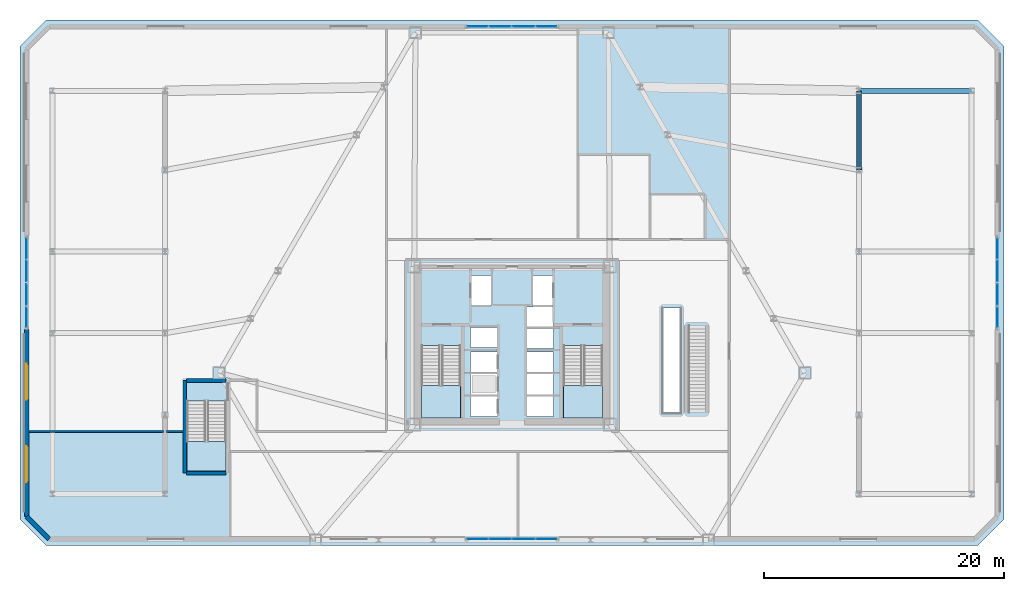
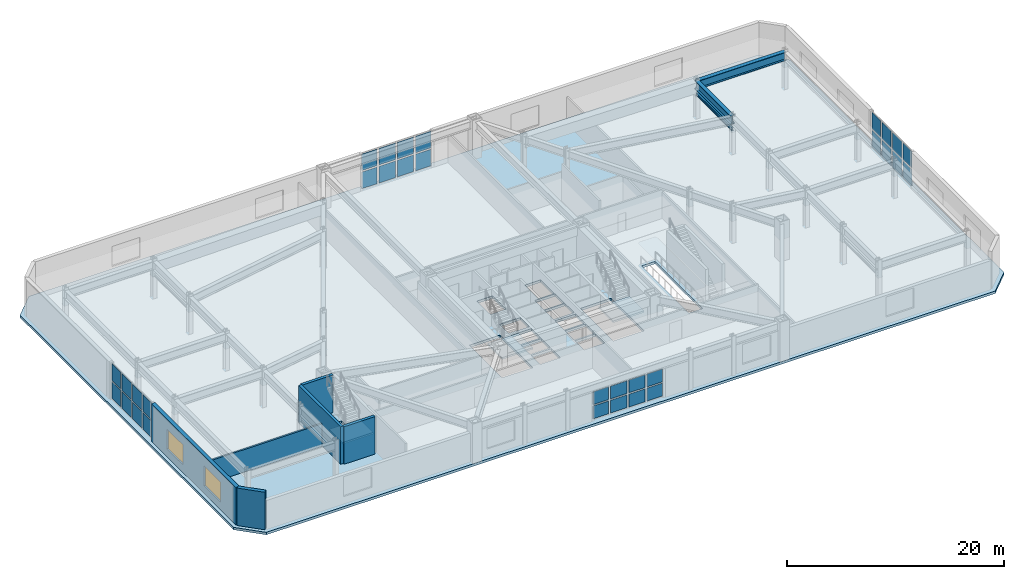
# One storey, part 13 of 21: 32 plates, 6 walls, 4 slabs, 3 beams, 2 windows, 2 openings, 7 elements without a shape of their own.
"""IFC4 building model written with IfcOpenShell, lengths in metres."""

from ifc_helpers import new_model, si_unit, direction, frame, frame_2d, origin, origin_2d, place, context, subcontext, project, spatial, polyline, rectangle, i_section, outline, extrude, material, layer, layer_set, material_profile, profile_set, type_object, element, fill, aggregate, save


model = new_model("IFC4")

# Units and contexts
model_context = context("Model", 3, precision=1e-05, world=origin(), true_north=direction((0.0, 1.0)))
body_context = subcontext(model_context, "Body", "Model", "MODEL_VIEW")
ifc_project = project(units=[si_unit("LENGTHUNIT", "METRE"), si_unit("AREAUNIT", "SQUARE_METRE"), si_unit("VOLUMEUNIT", "CUBIC_METRE"), si_unit("PLANEANGLEUNIT", "RADIAN"), si_unit("MASSUNIT", "GRAM", prefix="KILO")], contexts=[model_context])

# Site, building, storey
site_placement = place(None, origin())
site = spatial("IfcSite", under=ifc_project, at=site_placement, CompositionType="ELEMENT")
building_placement = place(site_placement, origin())
building = spatial("IfcBuilding", under=site, at=building_placement, Name="Oramaril Tower", CompositionType="ELEMENT")
storey_placement = place(building_placement, frame((0.0, 0.0, 5.39990234375)))
storey = spatial("IfcBuildingStorey", under=building, at=storey_placement, Name="L01", CompositionType="ELEMENT", Elevation=5.39990234375)

# Beams
ifc_material_1 = material(Name="Steel ASTM A572 Gr 50", Category="steel")
ifc_material_profile_1 = material_profile(ifc_material_1, i_section(OverallWidth=0.1650390625, OverallDepth=0.31005859375, WebThickness=0.005859375, FlangeThickness=0.009765625, at=origin_2d()), Name="W12X26")
ifc_profile_set_1 = profile_set([ifc_material_profile_1], Name="Steel ASTM A572 Gr 50")
beam_type_1 = type_object("IfcBeamType", Name="BT-LN1", PredefinedType="LINTEL", material=ifc_profile_set_1)
beam_1_placement = place(storey_placement, frame((66.39990234375, 32.199951171875, 2.695068359375), z_axis=(0.0, 1.0, 0.0), x_axis=(-1.0, 0.0, 0.0)))
element("IfcBeam", 1, at=beam_1_placement, inside=storey, type_object=beam_type_1, Name="L01 Podium Opening Lintel Beam", PredefinedType="LINTEL", context=body_context, shape_type="SweptSolid", body=[
    extrude(i_section(OverallWidth=0.1650390625, OverallDepth=0.31005859375, WebThickness=0.005859375, FlangeThickness=0.009765625, at=origin_2d()), origin(), (0.0, 0.0, 1.0), 6.60009765625),
])
ifc_material_2 = material(Name="Steel ASTM A572 Gr 50", Category="steel")
ifc_material_profile_2 = material_profile(ifc_material_2, i_section(OverallWidth=0.424072265625, OverallDepth=0.947021484375, WebThickness=0.02392578125, FlangeThickness=0.042724609375, at=origin_2d()), Name="W36X302")
ifc_profile_set_2 = profile_set([ifc_material_profile_2], Name="Steel ASTM A572 Gr 50")
beam_type_2 = type_object("IfcBeamType", Name="BT-PG1", PredefinedType="BEAM", material=ifc_profile_set_2)
beam_2_placement = place(storey_placement, frame((66.39990234375, 38.800048828125, 3.74658203125), z_axis=(1.0, 0.0, 0.0), x_axis=(0.0, 1.0, 0.0)))
element("IfcBeam", 2, at=beam_2_placement, inside=storey, type_object=beam_type_2, Name="L01 Wing Transverse Girder 08", PredefinedType="BEAM", context=body_context, shape_type="SweptSolid", body=[
    extrude(i_section(OverallWidth=0.424072265625, OverallDepth=0.947021484375, WebThickness=0.02392578125, FlangeThickness=0.042724609375, at=origin_2d()), origin(), (0.0, 0.0, 1.0), 9.400146484375),
])
ifc_material_3 = material(Name="Steel ASTM A572 Gr 50", Category="steel")
ifc_material_profile_3 = material_profile(ifc_material_3, i_section(OverallWidth=0.4189453125, OverallDepth=0.927001953125, WebThickness=0.019287109375, FlangeThickness=0.031982421875, at=origin_2d()), Name="W36X231")
ifc_profile_set_3 = profile_set([ifc_material_profile_3], Name="Steel ASTM A572 Gr 50")
beam_type_3 = type_object("IfcBeamType", Name="BT-PG2", PredefinedType="BEAM", material=ifc_profile_set_3)
beam_3_placement = place(storey_placement, frame((66.39990234375, 32.199951171875, 3.756591796875), z_axis=(0.0, 1.0, 0.0), x_axis=(-1.0, 0.0, 0.0)))
element("IfcBeam", 3, at=beam_3_placement, inside=storey, type_object=beam_type_3, Name="L01 Podium Perimeter Girder 11", PredefinedType="BEAM", context=body_context, shape_type="SweptSolid", body=[
    extrude(i_section(OverallWidth=0.4189453125, OverallDepth=0.927001953125, WebThickness=0.019287109375, FlangeThickness=0.031982421875, at=origin_2d()), origin(), (0.0, 0.0, 1.0), 6.60009765625),
])

# Curtain wall, plates
ifc_material_4 = material(Name="Anodised Aluminium 6063-T6", Category="aluminium")
ifc_layer_1 = layer(ifc_material_4, 0.219970703125)
ifc_layer_set_1 = layer_set([ifc_layer_1], Name="CWT-SYS1")
curtain_wall_type = type_object("IfcCurtainWallType", Name="CWT-SYS1", PredefinedType="NOTDEFINED", material=ifc_layer_set_1)
curtain_wall_1_placement = place(storey_placement, origin())
curtain_wall_1 = element("IfcCurtainWall", 4, at=curtain_wall_1_placement, inside=storey, type_object=curtain_wall_type, Name="L01 Unitised Curtain Wall CW-1", PredefinedType="NOTDEFINED")
ifc_material_5 = material(Name="Coastal Low-E Insulated Glass", Category="glass")
ifc_layer_2 = layer(ifc_material_5, 0.031982421875)
ifc_layer_set_2 = layer_set([ifc_layer_2], Name="PLT-CWP2")
plate_type = type_object("IfcPlateType", Name="PLT-CWP2", PredefinedType="CURTAIN_PANEL", material=ifc_layer_set_2)
plate_1_placement = place(storey_placement, frame((34.6298828125, 1.449951171875, 0.16015625), z_axis=(0.0, 0.0, 1.0), x_axis=(1.0, 0.0, 0.0)))
plate_1 = element("IfcPlate", 5, at=plate_1_placement, type_object=plate_type, Name="CW-1 panel 1.1", PredefinedType="CURTAIN_PANEL", context=body_context, shape_type="SweptSolid", body=[
    extrude(rectangle(XDim=1.6201171875, YDim=0.031982421875, at=origin_2d()), origin(), (0.0, 0.0, 1.0), 1.43701171875),
])
plate_2_placement = place(storey_placement, frame((34.6298828125, 1.449951171875, 1.757080078125), z_axis=(0.0, 0.0, 1.0), x_axis=(1.0, 0.0, 0.0)))
plate_2 = element("IfcPlate", 6, at=plate_2_placement, type_object=plate_type, Name="CW-1 panel 1.2", PredefinedType="CURTAIN_PANEL", context=body_context, shape_type="SweptSolid", body=[
    extrude(rectangle(XDim=1.6201171875, YDim=0.031982421875, at=origin_2d()), origin(), (0.0, 0.0, 1.0), 1.43701171875),
])
plate_3_placement = place(storey_placement, frame((36.52490234375, 1.449951171875, 0.16015625), z_axis=(0.0, 0.0, 1.0), x_axis=(1.0, 0.0, 0.0)))
plate_3 = element("IfcPlate", 7, at=plate_3_placement, type_object=plate_type, Name="CW-1 panel 2.1", PredefinedType="CURTAIN_PANEL", context=body_context, shape_type="SweptSolid", body=[
    extrude(rectangle(XDim=1.72998046875, YDim=0.031982421875, at=origin_2d()), origin(), (0.0, 0.0, 1.0), 1.43701171875),
])
plate_4_placement = place(storey_placement, frame((36.52490234375, 1.449951171875, 1.757080078125), z_axis=(0.0, 0.0, 1.0), x_axis=(1.0, 0.0, 0.0)))
plate_4 = element("IfcPlate", 8, at=plate_4_placement, type_object=plate_type, Name="CW-1 panel 2.2", PredefinedType="CURTAIN_PANEL", context=body_context, shape_type="SweptSolid", body=[
    extrude(rectangle(XDim=1.72998046875, YDim=0.031982421875, at=origin_2d()), origin(), (0.0, 0.0, 1.0), 1.43701171875),
])
plate_5_placement = place(storey_placement, frame((38.47509765625, 1.449951171875, 0.16015625), z_axis=(0.0, 0.0, 1.0), x_axis=(1.0, 0.0, 0.0)))
plate_5 = element("IfcPlate", 9, at=plate_5_placement, type_object=plate_type, Name="CW-1 panel 3.1", PredefinedType="CURTAIN_PANEL", context=body_context, shape_type="SweptSolid", body=[
    extrude(rectangle(XDim=1.72998046875, YDim=0.031982421875, at=origin_2d()), origin(), (0.0, 0.0, 1.0), 1.43701171875),
])
plate_6_placement = place(storey_placement, frame((38.47509765625, 1.449951171875, 1.757080078125), z_axis=(0.0, 0.0, 1.0), x_axis=(1.0, 0.0, 0.0)))
plate_6 = element("IfcPlate", 10, at=plate_6_placement, type_object=plate_type, Name="CW-1 panel 3.2", PredefinedType="CURTAIN_PANEL", context=body_context, shape_type="SweptSolid", body=[
    extrude(rectangle(XDim=1.72998046875, YDim=0.031982421875, at=origin_2d()), origin(), (0.0, 0.0, 1.0), 1.43701171875),
])
plate_7_placement = place(storey_placement, frame((40.3701171875, 1.449951171875, 0.16015625), z_axis=(0.0, 0.0, 1.0), x_axis=(1.0, 0.0, 0.0)))
plate_7 = element("IfcPlate", 11, at=plate_7_placement, type_object=plate_type, Name="CW-1 panel 4.1", PredefinedType="CURTAIN_PANEL", context=body_context, shape_type="SweptSolid", body=[
    extrude(rectangle(XDim=1.6201171875, YDim=0.031982421875, at=origin_2d()), origin(), (0.0, 0.0, 1.0), 1.43701171875),
])
plate_8_placement = place(storey_placement, frame((40.3701171875, 1.449951171875, 1.757080078125), z_axis=(0.0, 0.0, 1.0), x_axis=(1.0, 0.0, 0.0)))
plate_8 = element("IfcPlate", 12, at=plate_8_placement, type_object=plate_type, Name="CW-1 panel 4.2", PredefinedType="CURTAIN_PANEL", context=body_context, shape_type="SweptSolid", body=[
    extrude(rectangle(XDim=1.6201171875, YDim=0.031982421875, at=origin_2d()), origin(), (0.0, 0.0, 1.0), 1.43701171875),
])
aggregate(curtain_wall_1, [plate_1, plate_2, plate_3, plate_4, plate_5, plate_6, plate_7, plate_8])

curtain_wall_2_placement = place(storey_placement, origin())
curtain_wall_2 = element("IfcCurtainWall", 13, at=curtain_wall_2_placement, inside=storey, type_object=curtain_wall_type, Name="L01 Unitised Curtain Wall CW-1", PredefinedType="NOTDEFINED")
plate_9_placement = place(storey_placement, frame((77.949951171875, 19.929931640625, 0.16015625), z_axis=(0.0, 0.0, 1.0), x_axis=(0.0, 1.0, 0.0)))
plate_9 = element("IfcPlate", 14, at=plate_9_placement, type_object=plate_type, Name="CW-1 panel 1.1", PredefinedType="CURTAIN_PANEL", context=body_context, shape_type="SweptSolid", body=[
    extrude(rectangle(XDim=1.6201171875, YDim=0.031982421875, at=origin_2d()), origin(), (0.0, 0.0, 1.0), 1.8701171875),
])
plate_10_placement = place(storey_placement, frame((77.949951171875, 19.929931640625, 2.18994140625), z_axis=(0.0, 0.0, 1.0), x_axis=(0.0, 1.0, 0.0)))
plate_10 = element("IfcPlate", 15, at=plate_10_placement, type_object=plate_type, Name="CW-1 panel 1.2", PredefinedType="CURTAIN_PANEL", context=body_context, shape_type="SweptSolid", body=[
    extrude(rectangle(XDim=1.6201171875, YDim=0.031982421875, at=origin_2d()), origin(), (0.0, 0.0, 1.0), 1.8701171875),
])
plate_11_placement = place(storey_placement, frame((77.949951171875, 21.824951171875, 0.16015625), z_axis=(0.0, 0.0, 1.0), x_axis=(0.0, 1.0, 0.0)))
plate_11 = element("IfcPlate", 16, at=plate_11_placement, type_object=plate_type, Name="CW-1 panel 2.1", PredefinedType="CURTAIN_PANEL", context=body_context, shape_type="SweptSolid", body=[
    extrude(rectangle(XDim=1.72998046875, YDim=0.031982421875, at=origin_2d()), origin(), (0.0, 0.0, 1.0), 1.8701171875),
])
plate_12_placement = place(storey_placement, frame((77.949951171875, 21.824951171875, 2.18994140625), z_axis=(0.0, 0.0, 1.0), x_axis=(0.0, 1.0, 0.0)))
plate_12 = element("IfcPlate", 17, at=plate_12_placement, type_object=plate_type, Name="CW-1 panel 2.2", PredefinedType="CURTAIN_PANEL", context=body_context, shape_type="SweptSolid", body=[
    extrude(rectangle(XDim=1.72998046875, YDim=0.031982421875, at=origin_2d()), origin(), (0.0, 0.0, 1.0), 1.8701171875),
])
plate_13_placement = place(storey_placement, frame((77.949951171875, 23.77490234375, 0.16015625), z_axis=(0.0, 0.0, 1.0), x_axis=(0.0, 1.0, 0.0)))
plate_13 = element("IfcPlate", 18, at=plate_13_placement, type_object=plate_type, Name="CW-1 panel 3.1", PredefinedType="CURTAIN_PANEL", context=body_context, shape_type="SweptSolid", body=[
    extrude(rectangle(XDim=1.72998046875, YDim=0.031982421875, at=origin_2d()), origin(), (0.0, 0.0, 1.0), 1.8701171875),
])
plate_14_placement = place(storey_placement, frame((77.949951171875, 23.77490234375, 2.18994140625), z_axis=(0.0, 0.0, 1.0), x_axis=(0.0, 1.0, 0.0)))
plate_14 = element("IfcPlate", 19, at=plate_14_placement, type_object=plate_type, Name="CW-1 panel 3.2", PredefinedType="CURTAIN_PANEL", context=body_context, shape_type="SweptSolid", body=[
    extrude(rectangle(XDim=1.72998046875, YDim=0.031982421875, at=origin_2d()), origin(), (0.0, 0.0, 1.0), 1.8701171875),
])
plate_15_placement = place(storey_placement, frame((77.949951171875, 25.669921875, 0.16015625), z_axis=(0.0, 0.0, 1.0), x_axis=(0.0, 1.0, 0.0)))
plate_15 = element("IfcPlate", 20, at=plate_15_placement, type_object=plate_type, Name="CW-1 panel 4.1", PredefinedType="CURTAIN_PANEL", context=body_context, shape_type="SweptSolid", body=[
    extrude(rectangle(XDim=1.6201171875, YDim=0.031982421875, at=origin_2d()), origin(), (0.0, 0.0, 1.0), 1.8701171875),
])
plate_16_placement = place(storey_placement, frame((77.949951171875, 25.669921875, 2.18994140625), z_axis=(0.0, 0.0, 1.0), x_axis=(0.0, 1.0, 0.0)))
plate_16 = element("IfcPlate", 21, at=plate_16_placement, type_object=plate_type, Name="CW-1 panel 4.2", PredefinedType="CURTAIN_PANEL", context=body_context, shape_type="SweptSolid", body=[
    extrude(rectangle(XDim=1.6201171875, YDim=0.031982421875, at=origin_2d()), origin(), (0.0, 0.0, 1.0), 1.8701171875),
])
aggregate(curtain_wall_2, [plate_9, plate_10, plate_11, plate_12, plate_13, plate_14, plate_15, plate_16])

curtain_wall_3_placement = place(storey_placement, origin())
curtain_wall_3 = element("IfcCurtainWall", 22, at=curtain_wall_3_placement, inside=storey, type_object=curtain_wall_type, Name="L01 Unitised Curtain Wall CW-1", PredefinedType="NOTDEFINED")
plate_17_placement = place(storey_placement, frame((40.3701171875, 44.14990234375, 0.16015625), z_axis=(0.0, 0.0, 1.0), x_axis=(-1.0, 0.0, 0.0)))
plate_17 = element("IfcPlate", 23, at=plate_17_placement, type_object=plate_type, Name="CW-1 panel 1.1", PredefinedType="CURTAIN_PANEL", context=body_context, shape_type="SweptSolid", body=[
    extrude(rectangle(XDim=1.6201171875, YDim=0.031982421875, at=origin_2d()), origin(), (0.0, 0.0, 1.0), 1.8701171875),
])
plate_18_placement = place(storey_placement, frame((40.3701171875, 44.14990234375, 2.18994140625), z_axis=(0.0, 0.0, 1.0), x_axis=(-1.0, 0.0, 0.0)))
plate_18 = element("IfcPlate", 24, at=plate_18_placement, type_object=plate_type, Name="CW-1 panel 1.2", PredefinedType="CURTAIN_PANEL", context=body_context, shape_type="SweptSolid", body=[
    extrude(rectangle(XDim=1.6201171875, YDim=0.031982421875, at=origin_2d()), origin(), (0.0, 0.0, 1.0), 1.8701171875),
])
plate_19_placement = place(storey_placement, frame((38.47509765625, 44.14990234375, 0.16015625), z_axis=(0.0, 0.0, 1.0), x_axis=(-1.0, 0.0, 0.0)))
plate_19 = element("IfcPlate", 25, at=plate_19_placement, type_object=plate_type, Name="CW-1 panel 2.1", PredefinedType="CURTAIN_PANEL", context=body_context, shape_type="SweptSolid", body=[
    extrude(rectangle(XDim=1.72998046875, YDim=0.031982421875, at=origin_2d()), origin(), (0.0, 0.0, 1.0), 1.8701171875),
])
plate_20_placement = place(storey_placement, frame((38.47509765625, 44.14990234375, 2.18994140625), z_axis=(0.0, 0.0, 1.0), x_axis=(-1.0, 0.0, 0.0)))
plate_20 = element("IfcPlate", 26, at=plate_20_placement, type_object=plate_type, Name="CW-1 panel 2.2", PredefinedType="CURTAIN_PANEL", context=body_context, shape_type="SweptSolid", body=[
    extrude(rectangle(XDim=1.72998046875, YDim=0.031982421875, at=origin_2d()), origin(), (0.0, 0.0, 1.0), 1.8701171875),
])
plate_21_placement = place(storey_placement, frame((36.52490234375, 44.14990234375, 0.16015625), z_axis=(0.0, 0.0, 1.0), x_axis=(-1.0, 0.0, 0.0)))
plate_21 = element("IfcPlate", 27, at=plate_21_placement, type_object=plate_type, Name="CW-1 panel 3.1", PredefinedType="CURTAIN_PANEL", context=body_context, shape_type="SweptSolid", body=[
    extrude(rectangle(XDim=1.72998046875, YDim=0.031982421875, at=origin_2d()), origin(), (0.0, 0.0, 1.0), 1.8701171875),
])
plate_22_placement = place(storey_placement, frame((36.52490234375, 44.14990234375, 2.18994140625), z_axis=(0.0, 0.0, 1.0), x_axis=(-1.0, 0.0, 0.0)))
plate_22 = element("IfcPlate", 28, at=plate_22_placement, type_object=plate_type, Name="CW-1 panel 3.2", PredefinedType="CURTAIN_PANEL", context=body_context, shape_type="SweptSolid", body=[
    extrude(rectangle(XDim=1.72998046875, YDim=0.031982421875, at=origin_2d()), origin(), (0.0, 0.0, 1.0), 1.8701171875),
])
plate_23_placement = place(storey_placement, frame((34.6298828125, 44.14990234375, 0.16015625), z_axis=(0.0, 0.0, 1.0), x_axis=(-1.0, 0.0, 0.0)))
plate_23 = element("IfcPlate", 29, at=plate_23_placement, type_object=plate_type, Name="CW-1 panel 4.1", PredefinedType="CURTAIN_PANEL", context=body_context, shape_type="SweptSolid", body=[
    extrude(rectangle(XDim=1.6201171875, YDim=0.031982421875, at=origin_2d()), origin(), (0.0, 0.0, 1.0), 1.8701171875),
])
plate_24_placement = place(storey_placement, frame((34.6298828125, 44.14990234375, 2.18994140625), z_axis=(0.0, 0.0, 1.0), x_axis=(-1.0, 0.0, 0.0)))
plate_24 = element("IfcPlate", 30, at=plate_24_placement, type_object=plate_type, Name="CW-1 panel 4.2", PredefinedType="CURTAIN_PANEL", context=body_context, shape_type="SweptSolid", body=[
    extrude(rectangle(XDim=1.6201171875, YDim=0.031982421875, at=origin_2d()), origin(), (0.0, 0.0, 1.0), 1.8701171875),
])
aggregate(curtain_wall_3, [plate_17, plate_18, plate_19, plate_20, plate_21, plate_22, plate_23, plate_24])

curtain_wall_4_placement = place(storey_placement, origin())
curtain_wall_4 = element("IfcCurtainWall", 31, at=curtain_wall_4_placement, inside=storey, type_object=curtain_wall_type, Name="L01 Unitised Curtain Wall CW-1", PredefinedType="NOTDEFINED")
plate_25_placement = place(storey_placement, frame((-2.949951171875, 25.669921875, 0.16015625), z_axis=(0.0, 0.0, 1.0), x_axis=(0.0, -1.0, 0.0)))
plate_25 = element("IfcPlate", 32, at=plate_25_placement, type_object=plate_type, Name="CW-1 panel 1.1", PredefinedType="CURTAIN_PANEL", context=body_context, shape_type="SweptSolid", body=[
    extrude(rectangle(XDim=1.6201171875, YDim=0.031982421875, at=origin_2d()), origin(), (0.0, 0.0, 1.0), 1.8701171875),
])
plate_26_placement = place(storey_placement, frame((-2.949951171875, 25.669921875, 2.18994140625), z_axis=(0.0, 0.0, 1.0), x_axis=(0.0, -1.0, 0.0)))
plate_26 = element("IfcPlate", 33, at=plate_26_placement, type_object=plate_type, Name="CW-1 panel 1.2", PredefinedType="CURTAIN_PANEL", context=body_context, shape_type="SweptSolid", body=[
    extrude(rectangle(XDim=1.6201171875, YDim=0.031982421875, at=origin_2d()), origin(), (0.0, 0.0, 1.0), 1.8701171875),
])
plate_27_placement = place(storey_placement, frame((-2.949951171875, 23.77490234375, 0.16015625), z_axis=(0.0, 0.0, 1.0), x_axis=(0.0, -1.0, 0.0)))
plate_27 = element("IfcPlate", 34, at=plate_27_placement, type_object=plate_type, Name="CW-1 panel 2.1", PredefinedType="CURTAIN_PANEL", context=body_context, shape_type="SweptSolid", body=[
    extrude(rectangle(XDim=1.72998046875, YDim=0.031982421875, at=origin_2d()), origin(), (0.0, 0.0, 1.0), 1.8701171875),
])
plate_28_placement = place(storey_placement, frame((-2.949951171875, 23.77490234375, 2.18994140625), z_axis=(0.0, 0.0, 1.0), x_axis=(0.0, -1.0, 0.0)))
plate_28 = element("IfcPlate", 35, at=plate_28_placement, type_object=plate_type, Name="CW-1 panel 2.2", PredefinedType="CURTAIN_PANEL", context=body_context, shape_type="SweptSolid", body=[
    extrude(rectangle(XDim=1.72998046875, YDim=0.031982421875, at=origin_2d()), origin(), (0.0, 0.0, 1.0), 1.8701171875),
])
plate_29_placement = place(storey_placement, frame((-2.949951171875, 21.824951171875, 0.16015625), z_axis=(0.0, 0.0, 1.0), x_axis=(0.0, -1.0, 0.0)))
plate_29 = element("IfcPlate", 36, at=plate_29_placement, type_object=plate_type, Name="CW-1 panel 3.1", PredefinedType="CURTAIN_PANEL", context=body_context, shape_type="SweptSolid", body=[
    extrude(rectangle(XDim=1.72998046875, YDim=0.031982421875, at=origin_2d()), origin(), (0.0, 0.0, 1.0), 1.8701171875),
])
plate_30_placement = place(storey_placement, frame((-2.949951171875, 21.824951171875, 2.18994140625), z_axis=(0.0, 0.0, 1.0), x_axis=(0.0, -1.0, 0.0)))
plate_30 = element("IfcPlate", 37, at=plate_30_placement, type_object=plate_type, Name="CW-1 panel 3.2", PredefinedType="CURTAIN_PANEL", context=body_context, shape_type="SweptSolid", body=[
    extrude(rectangle(XDim=1.72998046875, YDim=0.031982421875, at=origin_2d()), origin(), (0.0, 0.0, 1.0), 1.8701171875),
])
plate_31_placement = place(storey_placement, frame((-2.949951171875, 19.929931640625, 0.16015625), z_axis=(0.0, 0.0, 1.0), x_axis=(0.0, -1.0, 0.0)))
plate_31 = element("IfcPlate", 38, at=plate_31_placement, type_object=plate_type, Name="CW-1 panel 4.1", PredefinedType="CURTAIN_PANEL", context=body_context, shape_type="SweptSolid", body=[
    extrude(rectangle(XDim=1.6201171875, YDim=0.031982421875, at=origin_2d()), origin(), (0.0, 0.0, 1.0), 1.8701171875),
])
plate_32_placement = place(storey_placement, frame((-2.949951171875, 19.929931640625, 2.18994140625), z_axis=(0.0, 0.0, 1.0), x_axis=(0.0, -1.0, 0.0)))
plate_32 = element("IfcPlate", 39, at=plate_32_placement, type_object=plate_type, Name="CW-1 panel 4.2", PredefinedType="CURTAIN_PANEL", context=body_context, shape_type="SweptSolid", body=[
    extrude(rectangle(XDim=1.6201171875, YDim=0.031982421875, at=origin_2d()), origin(), (0.0, 0.0, 1.0), 1.8701171875),
])
aggregate(curtain_wall_4, [plate_25, plate_26, plate_27, plate_28, plate_29, plate_30, plate_31, plate_32])

# Stair, slab
ifc_material_6 = material(Name="Concrete C50/60", Category="concrete")
stair_type = type_object("IfcStairType", Name="STT-DG-4500", PredefinedType="HALF_TURN_STAIR", material=ifc_material_6)
stair_1_placement = place(storey_placement, origin())
stair_1 = element("IfcStair", 40, at=stair_1_placement, inside=storey, type_object=stair_type, Name="L01 Protected PFP Exit Stair ST-1", PredefinedType="HALF_TURN_STAIR")
ifc_material_7 = material(Name="Concrete C50/60", Category="concrete")
ifc_layer_3 = layer(ifc_material_7, 0.199951171875)
ifc_layer_set_3 = layer_set([ifc_layer_3], Name="SLT-LND20")
slab_type_1 = type_object("IfcSlabType", Name="SLT-LND20", PredefinedType="LANDING", material=ifc_layer_set_3)
slab_1_placement = place(storey_placement, frame((0.0, 0.0, 2.050048828125)))
slab_1 = element("IfcSlab", 41, at=slab_1_placement, type_object=slab_type_1, Name="ST-1 landing 1", PredefinedType="LANDING", context=body_context, shape_type="SweptSolid", body=[
    extrude(outline(polyline([(29.949951171875, 14.22998046875), (29.949951171875, 11.550048828125), (33.219970703125, 11.550048828125), (33.219970703125, 14.22998046875), (29.949951171875, 14.22998046875)])), origin(), (0.0, 0.0, 1.0), 0.199951171875),
])
aggregate(stair_1, [slab_1])

stair_2_placement = place(storey_placement, origin())
stair_2 = element("IfcStair", 42, at=stair_2_placement, inside=storey, type_object=stair_type, Name="L01 Protected PFP Exit Stair ST-2", PredefinedType="HALF_TURN_STAIR")
slab_2_placement = place(storey_placement, frame((0.0, 0.0, 2.050048828125)))
slab_2 = element("IfcSlab", 43, at=slab_2_placement, type_object=slab_type_1, Name="ST-2 landing 1", PredefinedType="LANDING", context=body_context, shape_type="SweptSolid", body=[
    extrude(outline(polyline([(41.780029296875, 14.22998046875), (41.780029296875, 11.550048828125), (45.050048828125, 11.550048828125), (45.050048828125, 14.22998046875), (41.780029296875, 14.22998046875)])), origin(), (0.0, 0.0, 1.0), 0.199951171875),
])
aggregate(stair_2, [slab_2])

stair_3_placement = place(storey_placement, origin())
stair_3 = element("IfcStair", 44, at=stair_3_placement, inside=storey, type_object=stair_type, Name="L01 Podium Enclosed Exit Stair ST-3", PredefinedType="HALF_TURN_STAIR")
slab_3_placement = place(storey_placement, frame((0.0, 0.0, 2.050048828125)))
slab_3 = element("IfcSlab", 45, at=slab_3_placement, type_object=slab_type_1, Name="ST-3 landing 1", PredefinedType="LANDING", context=body_context, shape_type="SweptSolid", body=[
    extrude(outline(polyline([(10.39990234375, 9.580078125), (10.39990234375, 7.10009765625), (13.669921875, 7.10009765625), (13.669921875, 9.580078125), (10.39990234375, 9.580078125)])), origin(), (0.0, 0.0, 1.0), 0.199951171875),
])
aggregate(stair_3, [slab_3])

# Slab
ifc_material_8 = material(Name="Concrete C50/60", Category="concrete")
ifc_layer_4 = layer(ifc_material_8, 0.280029296875)
ifc_layer_set_4 = layer_set([ifc_layer_4], Name="SLT-POD28")
slab_type_2 = type_object("IfcSlabType", Name="SLT-POD28", PredefinedType="FLOOR", material=ifc_layer_set_4)
slab_4_placement = place(storey_placement, frame((0.0, 0.0, -0.27978515625)))
element("IfcSlab", 46, at=slab_4_placement, inside=storey, type_object=slab_type_2, Name="L01 Structural Floor Slab", PredefinedType="FLOOR", context=body_context, shape_type="SweptSolid", body=[
    extrude(outline(polyline([(-1.300048828125, 0.89990234375), (76.300048828125, 0.89990234375), (78.5, 3.10009765625), (78.5, 42.5), (76.300048828125, 44.699951171875), (-1.300048828125, 44.699951171875), (-3.5, 42.5), (-3.5, 3.10009765625), (-1.300048828125, 0.89990234375)]), holes=[polyline([(29.949951171875, 17.58935546875), (29.949951171875, 11.550048828125), (33.219970703125, 11.550048828125), (33.219970703125, 17.58935546875), (29.949951171875, 17.58935546875)]), polyline([(41.780029296875, 17.58935546875), (41.780029296875, 11.550048828125), (45.050048828125, 11.550048828125), (45.050048828125, 17.58935546875), (41.780029296875, 17.58935546875)]), polyline([(10.39990234375, 12.939453125), (10.39990234375, 7.10009765625), (13.669921875, 7.10009765625), (13.669921875, 12.939453125), (10.39990234375, 12.939453125)]), polyline([(50.074951171875, 11.949951171875), (51.52490234375, 11.949951171875), (51.52490234375, 20.699462890625), (50.074951171875, 20.699462890625), (50.074951171875, 11.949951171875)]), polyline([(34.110107421875, 20.909912109375), (35.7900390625, 20.909912109375), (35.7900390625, 23.389892578125), (34.110107421875, 23.389892578125), (34.110107421875, 20.909912109375)]), polyline([(39.2099609375, 20.909912109375), (40.889892578125, 20.909912109375), (40.889892578125, 23.389892578125), (39.2099609375, 23.389892578125), (39.2099609375, 20.909912109375)]), polyline([(34.06005859375, 11.659912109375), (36.239990234375, 11.659912109375), (36.239990234375, 13.340087890625), (34.06005859375, 13.340087890625), (34.06005859375, 11.659912109375)]), polyline([(34.06005859375, 13.510009765625), (36.239990234375, 13.510009765625), (36.239990234375, 15.18994140625), (34.06005859375, 15.18994140625), (34.06005859375, 13.510009765625)]), polyline([(34.06005859375, 15.360107421875), (36.239990234375, 15.360107421875), (36.239990234375, 17.0400390625), (34.06005859375, 17.0400390625), (34.06005859375, 15.360107421875)]), polyline([(38.760009765625, 11.659912109375), (40.93994140625, 11.659912109375), (40.93994140625, 13.340087890625), (38.760009765625, 13.340087890625), (38.760009765625, 11.659912109375)]), polyline([(38.760009765625, 13.510009765625), (40.93994140625, 13.510009765625), (40.93994140625, 15.18994140625), (38.760009765625, 15.18994140625), (38.760009765625, 13.510009765625)]), polyline([(38.760009765625, 15.360107421875), (40.93994140625, 15.360107421875), (40.93994140625, 17.0400390625), (38.760009765625, 17.0400390625), (38.760009765625, 15.360107421875)]), polyline([(34.06005859375, 17.409912109375), (36.239990234375, 17.409912109375), (36.239990234375, 19.090087890625), (34.06005859375, 19.090087890625), (34.06005859375, 17.409912109375)]), polyline([(38.760009765625, 17.31005859375), (40.93994140625, 17.31005859375), (40.93994140625, 18.989990234375), (38.760009765625, 18.989990234375), (38.760009765625, 17.31005859375)]), polyline([(38.760009765625, 19.110107421875), (40.93994140625, 19.110107421875), (40.93994140625, 20.7900390625), (38.760009765625, 20.7900390625), (38.760009765625, 19.110107421875)])]), origin(), (0.0, 0.0, 1.0), 0.27978515625),
])

# Wall, openings, windows
ifc_material_9 = material(Name="Warm Cream Limestone", Category="masonry")
ifc_layer_5 = layer(ifc_material_9, 0.3798828125)
ifc_layer_set_5 = layer_set([ifc_layer_5], Name="WT-EXT38")
wall_type_1 = type_object("IfcWallType", Name="WT-EXT38", PredefinedType="SOLIDWALL", material=ifc_layer_set_5)
wall_1_placement = place(storey_placement, frame((-2.949951171875, 18.89990234375, 0.0), z_axis=(0.0, 0.0, 1.0), x_axis=(0.0, -1.0, 0.0)))
wall_1 = element("IfcWall", 47, at=wall_1_placement, inside=storey, type_object=wall_type_1, Name="L01 Limestone Facade Wall EW-7B", PredefinedType="SOLIDWALL", context=body_context, shape_type="SweptSolid", body=[
    extrude(rectangle(XDim=15.572021484375, YDim=0.3798828125, at=frame_2d((7.7861328125, 0.0))), origin(), (0.0, 0.0, 1.0), 4.22021484375),
])
opening_1_placement = place(wall_1_placement, frame((2.860107421875, 0.0, 0.85009765625)))
opening_1 = element("IfcOpeningElement", 48, at=opening_1_placement, cuts=wall_1, Name="Opening WN-10", PredefinedType="OPENING", context=body_context, shape_type="SweptSolid", body=[
    extrude(rectangle(XDim=3.0, YDim=2.25, at=frame_2d((1.5, 1.125))), frame((0.0, 0.18994140625, 0.0), z_axis=(0.0, -1.0, 0.0), x_axis=(1.0, 0.0, 0.0)), (0.0, 0.0, 1.0), 0.3798828125),
])
opening_2_placement = place(wall_1_placement, frame((9.7119140625, 0.0, 0.85009765625)))
opening_2 = element("IfcOpeningElement", 49, at=opening_2_placement, cuts=wall_1, Name="Opening WN-10", PredefinedType="OPENING", context=body_context, shape_type="SweptSolid", body=[
    extrude(rectangle(XDim=3.0, YDim=2.25, at=frame_2d((1.5, 1.125))), frame((0.0, 0.18994140625, 0.0), z_axis=(0.0, -1.0, 0.0), x_axis=(1.0, 0.0, 0.0)), (0.0, 0.0, 1.0), 0.3798828125),
])
ifc_material_10 = material(Name="Coastal Low-E Insulated Glass", Category="glass")
window_type = type_object("IfcWindowType", Name="WNT-10", PartitioningType="SINGLE_PANEL", PredefinedType="WINDOW", material=ifc_material_10)
window_1_placement = place(opening_1_placement, origin())
window_1 = element("IfcWindow", 50, at=window_1_placement, inside=storey, type_object=window_type, Name="L01 Podium Chicago Window", OverallHeight=2.25, OverallWidth=3.0, PartitioningType="SINGLE_PANEL", PredefinedType="WINDOW", context=body_context, shape_type="SweptSolid", body=[
    extrude(rectangle(XDim=3.0, YDim=2.25, at=frame_2d((1.5, 1.125))), frame((0.0, 0.030029296875, 0.0), z_axis=(0.0, -1.0, 0.0), x_axis=(1.0, 0.0, 0.0)), (0.0, 0.0, 1.0), 0.06005859375),
])
fill(opening_1, window_1)
window_2_placement = place(opening_2_placement, origin())
window_2 = element("IfcWindow", 51, at=window_2_placement, inside=storey, type_object=window_type, Name="L01 Podium Chicago Window", OverallHeight=2.25, OverallWidth=3.0, PartitioningType="SINGLE_PANEL", PredefinedType="WINDOW", context=body_context, shape_type="SweptSolid", body=[
    extrude(rectangle(XDim=3.0, YDim=2.25, at=frame_2d((1.5, 1.125))), frame((0.0, 0.030029296875, 0.0), z_axis=(0.0, -1.0, 0.0), x_axis=(1.0, 0.0, 0.0)), (0.0, 0.0, 1.0), 0.06005859375),
])
fill(opening_2, window_2)

# Walls
wall_2_placement = place(storey_placement, frame((-2.949951171875, 3.327880859375, 0.0), z_axis=(0.0, 0.0, 1.0), x_axis=(0.707060812925, -0.70715274646, 0.0)))
element("IfcWall", 52, at=wall_2_placement, inside=storey, type_object=wall_type_1, Name="L01 Limestone Facade Wall EW-8M", PredefinedType="SOLIDWALL", context=body_context, shape_type="SweptSolid", body=[
    extrude(rectangle(XDim=2.655517578125, YDim=0.3798828125, at=frame_2d((1.32763671875, 0.0))), origin(), (0.0, 0.0, 1.0), 4.22021484375),
])
ifc_material_11 = material(Name="Autoclaved Cellular Concrete Block", Category="concrete")
ifc_layer_6 = layer(ifc_material_11, 0.179931640625)
ifc_layer_set_6 = layer_set([ifc_layer_6], Name="WT-PT18")
wall_type_2 = type_object("IfcWallType", Name="WT-PT18", PredefinedType="PARTITIONING", material=ifc_layer_set_6)
wall_3_placement = place(storey_placement, frame((-2.756103515625, 10.39990234375, 0.0), z_axis=(0.0, 0.0, 1.0), x_axis=(1.0, 0.0, 0.0)))
element("IfcWall", 53, at=wall_3_placement, inside=storey, type_object=wall_type_2, Name="L01 Interior Partition PT-18", PredefinedType="PARTITIONING", context=body_context, shape_type="SweptSolid", body=[
    extrude(rectangle(XDim=12.836181640625, YDim=0.179931640625, at=frame_2d((6.41796875, 0.0))), origin(), (0.0, 0.0, 1.0), 2.530029296875),
])
ifc_material_12 = material(Name="Concrete C50/60", Category="concrete")
ifc_layer_7 = layer(ifc_material_12, 0.300048828125)
ifc_layer_set_7 = layer_set([ifc_layer_7], Name="WT-SH30")
wall_type_3 = type_object("IfcWallType", Name="WT-SH30", PredefinedType="SHEAR", material=ifc_layer_set_7)
wall_4_placement = place(storey_placement, frame((10.239990234375, 6.93994140625, 0.0), z_axis=(0.0, 0.0, 1.0), x_axis=(0.0, 1.0, 0.0)))
element("IfcWall", 54, at=wall_4_placement, inside=storey, type_object=wall_type_3, Name="L01 Stair ST-3 Shear Wall ST3W", PredefinedType="SHEAR", context=body_context, shape_type="SweptSolid", body=[
    extrude(rectangle(XDim=7.719970703125, YDim=0.300048828125, at=frame_2d((3.85986328125, 0.0))), origin(), (0.0, 0.0, 1.0), 4.22021484375),
])
for number, where, z_axis, x_axis, name in (
    (55, (10.389892578125, 6.93994140625, 0.0), (0.0, 0.0, 1.0), (1.0, 0.0, 0.0), "L01 Stair ST-3 Shear Wall ST3S"),
    (56, (10.389892578125, 14.659912109375, 0.0), (0.0, 0.0, 1.0), (1.0, 0.0, 0.0), "L01 Stair ST-3 Shear Wall ST3N"),
):
    element("IfcWall", number, at=place(storey_placement, frame(where, z_axis=z_axis, x_axis=x_axis)), inside=storey, type_object=wall_type_3, Name=name, PredefinedType="SHEAR", context=body_context, shape_type="SweptSolid", body=[
        extrude(rectangle(XDim=3.2900390625, YDim=0.300048828125, at=frame_2d((1.64501953125, 0.0))), origin(), (0.0, 0.0, 1.0), 4.22021484375),
    ])

save(model, "model.ifc")
